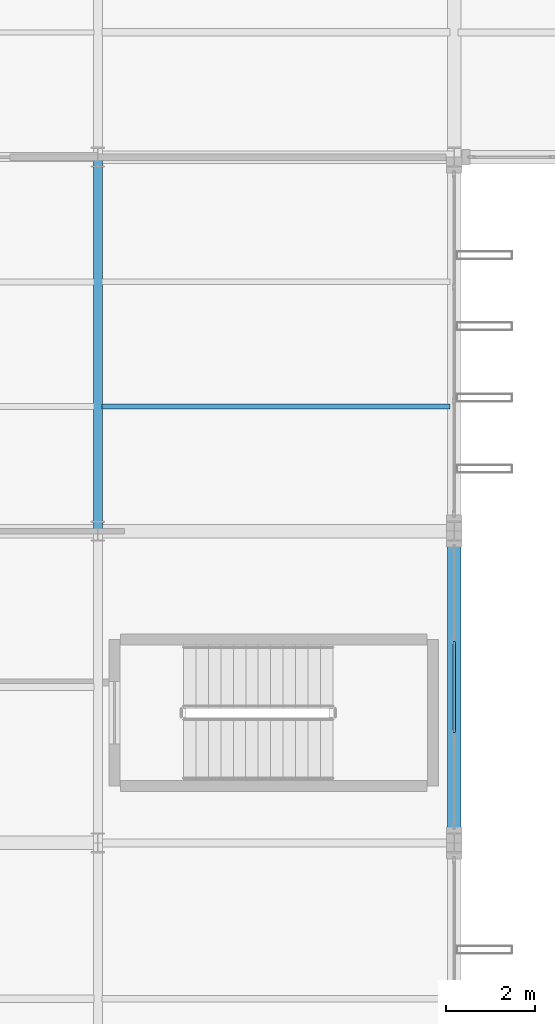
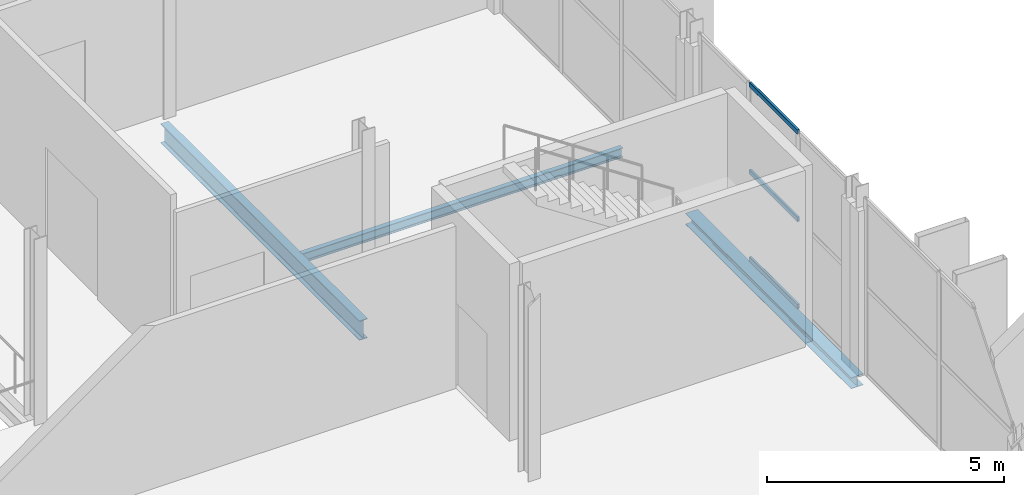
# One storey, part 33 of 120: 3 beams, 3 members, 1 element without a shape of its own.
"""IFC4 building model written with IfcOpenShell, lengths in metres."""

from ifc_helpers import new_model, si_unit, direction, frame, origin, origin_2d, place, context, subcontext, project, spatial, hollow_rectangle, i_section, extrude, material, layer, layer_set, material_profile, profile_set, type_object, element, aggregate, save


model = new_model("IFC4")

# Units and contexts
model_context = context("Model", 3, precision=1e-05, world=origin(), true_north=direction((0.0, 1.0)))
body_context = subcontext(model_context, "Body", "Model", "MODEL_VIEW")
ifc_project = project(units=[si_unit("LENGTHUNIT", "METRE"), si_unit("AREAUNIT", "SQUARE_METRE"), si_unit("VOLUMEUNIT", "CUBIC_METRE"), si_unit("PLANEANGLEUNIT", "RADIAN"), si_unit("MASSUNIT", "GRAM", prefix="KILO")], contexts=[model_context])

# Site, building, storey
site_placement = place(None, origin())
site = spatial("IfcSite", under=ifc_project, at=site_placement, CompositionType="ELEMENT")
building_placement = place(site_placement, origin())
building = spatial("IfcBuilding", under=site, at=building_placement, Name="Vekula Escarpment Museum", CompositionType="ELEMENT")
storey_placement = place(building_placement, frame((0.0, 0.0, 13.199951171875)))
storey = spatial("IfcBuildingStorey", under=building, at=storey_placement, Name="L03", CompositionType="ELEMENT", Elevation=13.199951171875)

# Beams
ifc_material_1 = material(Name="Steel S355", Category="steel")
ifc_material_profile_1 = material_profile(ifc_material_1, i_section(OverallWidth=0.199951171875, OverallDepth=0.5, WebThickness=0.01025390625, FlangeThickness=0.01611328125, FilletRadius=0.02099609375, at=origin_2d()), Name="IPE 500")
ifc_profile_set_1 = profile_set([ifc_material_profile_1], Name="Steel S355")
beam_type_1 = type_object("IfcBeamType", Name="BM-GIRD-IPE500", PredefinedType="BEAM", material=ifc_profile_set_1)
beam_1_placement = place(storey_placement, frame((118.0, 59.60009765625, -0.5), z_axis=(0.0, 1.0, 0.0), x_axis=(-1.0, 0.0, 0.0)))
element("IfcBeam", 1, at=beam_1_placement, inside=storey, type_object=beam_type_1, Name="Beam Y L03 1620", PredefinedType="BEAM", context=body_context, shape_type="SweptSolid", body=[
    extrude(i_section(OverallWidth=0.199951171875, OverallDepth=0.5, WebThickness=0.01025390625, FlangeThickness=0.01611328125, FilletRadius=0.02099609375, at=origin_2d()), origin(), (0.0, 0.0, 1.0), 8.39990234375),
])
ifc_material_2 = material(Name="Steel S355", Category="steel")
ifc_material_profile_2 = material_profile(ifc_material_2, i_section(OverallWidth=0.1201171875, OverallDepth=0.239990234375, WebThickness=0.006103515625, FlangeThickness=0.009765625, FilletRadius=0.014892578125, at=origin_2d()), Name="IPE 240")
ifc_profile_set_2 = profile_set([ifc_material_profile_2], Name="Steel S355")
beam_type_2 = type_object("IfcBeamType", Name="BM-JST-IPE240", PredefinedType="JOIST", material=ifc_profile_set_2)
beam_2_placement = place(storey_placement, frame((118.090087890625, 62.39990234375, -0.369873046875), z_axis=(1.0, 0.0, 0.0), x_axis=(0.0, 1.0, 0.0)))
element("IfcBeam", 2, at=beam_2_placement, inside=storey, type_object=beam_type_2, Name="Secondary Joist L03 1068", PredefinedType="JOIST", context=body_context, shape_type="SweptSolid", body=[
    extrude(i_section(OverallWidth=0.1201171875, OverallDepth=0.239990234375, WebThickness=0.006103515625, FlangeThickness=0.009765625, FilletRadius=0.014892578125, at=origin_2d()), origin(), (0.0, 0.0, 1.0), 7.81982421875),
])
ifc_material_3 = material(Name="Steel S355", Category="steel")
ifc_material_profile_3 = material_profile(ifc_material_3, i_section(OverallWidth=0.300048828125, OverallDepth=0.2900390625, WebThickness=0.008544921875, FlangeThickness=0.013916015625, FilletRadius=0.027099609375, at=origin_2d()), Name="HEA 300")
ifc_profile_set_3 = profile_set([ifc_material_profile_3], Name="Steel S355")
beam_type_3 = type_object("IfcBeamType", Name="BM-SPAN-HEA300", PredefinedType="SPANDREL", material=ifc_profile_set_3)
beam_3_placement = place(storey_placement, frame((126.0, 52.60009765625, -0.39501953125), z_axis=(0.0, 1.0, 0.0), x_axis=(-1.0, 0.0, 0.0)))
element("IfcBeam", 3, at=beam_3_placement, inside=storey, type_object=beam_type_3, Name="Beam Y L03 1626", PredefinedType="SPANDREL", context=body_context, shape_type="SweptSolid", body=[
    extrude(i_section(OverallWidth=0.300048828125, OverallDepth=0.2900390625, WebThickness=0.008544921875, FlangeThickness=0.013916015625, FilletRadius=0.027099609375, at=origin_2d()), origin(), (0.0, 0.0, 1.0), 7.0),
])

# Curtain wall, members
ifc_material_4 = material(Name="Aluminium thermally broken framing", Category="aluminium")
ifc_layer = layer(ifc_material_4, 0.14990234375)
ifc_layer_set = layer_set([ifc_layer], Name="Aluminium thermally broken framing")
curtain_wall_type = type_object("IfcCurtainWallType", Name="CW-SYS-09", PredefinedType="NOTDEFINED", material=ifc_layer_set)
curtain_wall_placement = place(storey_placement, origin())
curtain_wall = element("IfcCurtainWall", 4, at=curtain_wall_placement, inside=storey, type_object=curtain_wall_type, Name="Curtain Wall CW-L03-109", PredefinedType="NOTDEFINED")
ifc_material_5 = material(Name="Aluminium anodized transom", Category="aluminium")
ifc_material_profile_4 = material_profile(ifc_material_5, hollow_rectangle(XDim=0.06005859375, YDim=0.1201171875, WallThickness=0.00390625, InnerFilletRadius=0.00390625, OuterFilletRadius=0.008056640625, at=origin_2d()), Name="ALU 120x60x4")
ifc_profile_set_4 = profile_set([ifc_material_profile_4], Name="Aluminium anodized transom")
member_type = type_object("IfcMemberType", Name="CW-TRN-120", PredefinedType="USERDEFINED", material=ifc_profile_set_4)
member_1_placement = place(storey_placement, frame((126.0, 55.083251953125, 0.030029296875), z_axis=(0.0, 1.0, 0.0), x_axis=(-1.0, 0.0, 0.0)))
member_1 = element("IfcMember", 5, at=member_1_placement, type_object=member_type, Name="CW-09 transom 2.1", ObjectType="TRANSOM", PredefinedType="USERDEFINED", context=body_context, shape_type="SweptSolid", body=[
    extrude(hollow_rectangle(XDim=0.06005859375, YDim=0.1201171875, WallThickness=0.00390625, InnerFilletRadius=0.00390625, OuterFilletRadius=0.008056640625, at=origin_2d()), origin(), (0.0, 0.0, 1.0), 2.033447265625),
])
member_2_placement = place(storey_placement, frame((126.0, 55.083251953125, 2.280029296875), z_axis=(0.0, 1.0, 0.0), x_axis=(-1.0, 0.0, 0.0)))
member_2 = element("IfcMember", 6, at=member_2_placement, type_object=member_type, Name="CW-09 transom 2.2", ObjectType="TRANSOM", PredefinedType="USERDEFINED", context=body_context, shape_type="SweptSolid", body=[
    extrude(hollow_rectangle(XDim=0.06005859375, YDim=0.1201171875, WallThickness=0.00390625, InnerFilletRadius=0.00390625, OuterFilletRadius=0.008056640625, at=origin_2d()), origin(), (0.0, 0.0, 1.0), 2.033447265625),
])
member_3_placement = place(storey_placement, frame((126.0, 55.083251953125, 4.530029296875), z_axis=(0.0, 1.0, 0.0), x_axis=(-1.0, 0.0, 0.0)))
member_3 = element("IfcMember", 7, at=member_3_placement, type_object=member_type, Name="CW-09 transom 2.3", ObjectType="TRANSOM", PredefinedType="USERDEFINED", context=body_context, shape_type="SweptSolid", body=[
    extrude(hollow_rectangle(XDim=0.06005859375, YDim=0.1201171875, WallThickness=0.00390625, InnerFilletRadius=0.00390625, OuterFilletRadius=0.008056640625, at=origin_2d()), origin(), (0.0, 0.0, 1.0), 2.033447265625),
])
aggregate(curtain_wall, [member_1, member_2, member_3])

save(model, "model.ifc")
